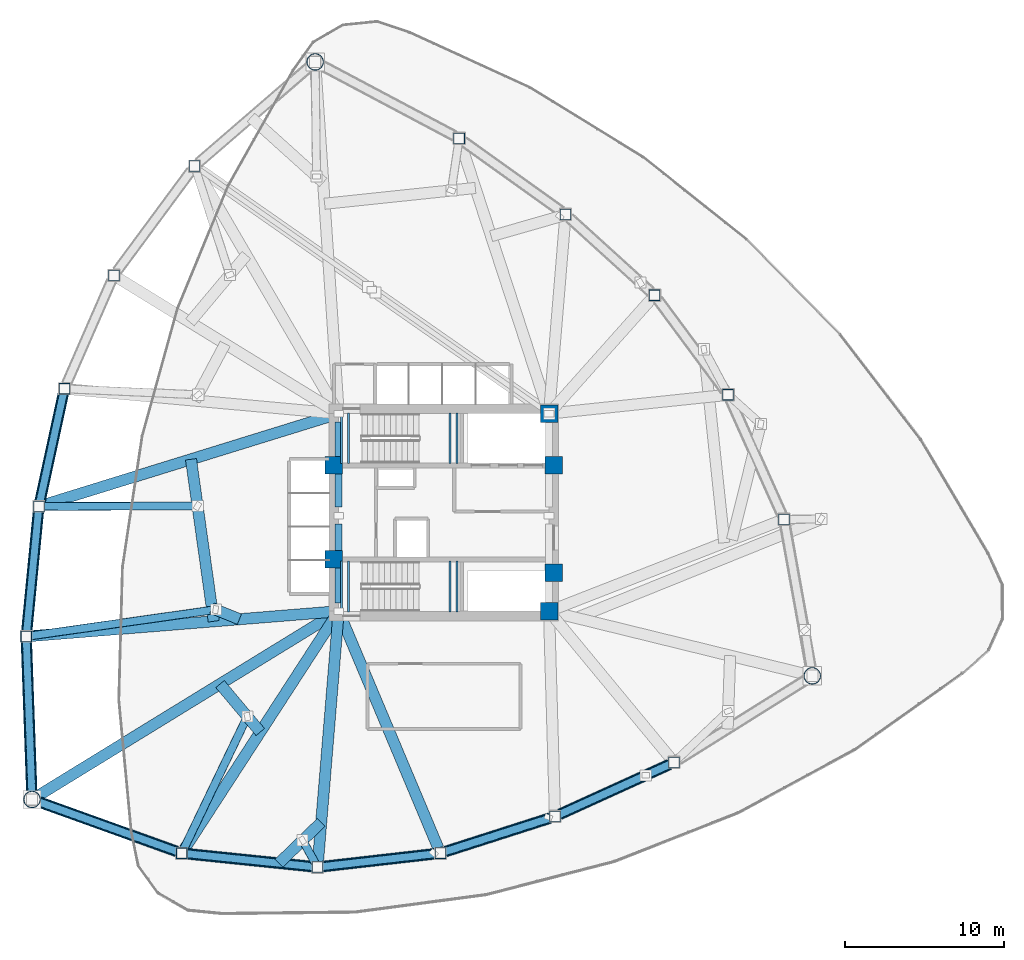
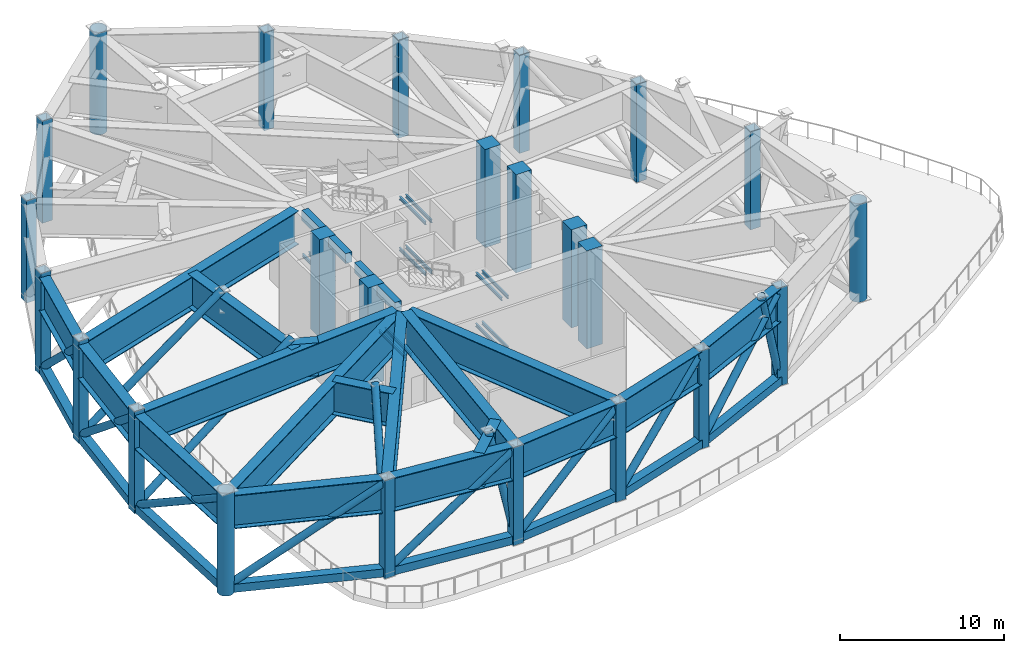
# One storey, part 1 of 8: 32 beams, 24 columns, 21 members.
"""IFC4 building model written with IfcOpenShell, lengths in metres."""

from ifc_helpers import new_model, si_unit, direction, frame, origin, origin_2d, place, context, subcontext, project, spatial, rectangle, hollow_rectangle, hollow_circle, i_section, extrude, material, material_profile, profile_set, type_object, element, save


model = new_model("IFC4")

# Units and contexts
model_context = context("Model", 3, precision=1e-05, world=origin(), true_north=direction((0.0, 1.0)))
body_context = subcontext(model_context, "Body", "Model", "MODEL_VIEW")
ifc_project = project(units=[si_unit("LENGTHUNIT", "METRE"), si_unit("AREAUNIT", "SQUARE_METRE"), si_unit("VOLUMEUNIT", "CUBIC_METRE"), si_unit("PLANEANGLEUNIT", "RADIAN"), si_unit("MASSUNIT", "GRAM", prefix="KILO")], contexts=[model_context])

# Site, building, storey
site_placement = place(None, origin())
site = spatial("IfcSite", under=ifc_project, at=site_placement, CompositionType="ELEMENT")
building_placement = place(site_placement, origin())
building = spatial("IfcBuilding", under=site, at=building_placement, Name="Tavelor Broadcast Tower", CompositionType="ELEMENT")
storey_placement = place(building_placement, frame((0.0, 0.0, 102.800048828125)))
storey = spatial("IfcBuildingStorey", under=building, at=storey_placement, Name="L24", CompositionType="ELEMENT", Elevation=102.800048828125)

# Columns
ifc_material_1 = material(Name="Concrete C60/75", Category="concrete")
ifc_material_profile_1 = material_profile(ifc_material_1, rectangle(XDim=1.10009765625, YDim=1.10009765625, at=origin_2d()), Name="RC 1100x1100")
ifc_profile_set_1 = profile_set([ifc_material_profile_1], Name="Concrete C60/75")
column_type_1 = type_object("IfcColumnType", Name="Core Embedded Composite Column RC1100", PredefinedType="COLUMN", material=ifc_profile_set_1)
for number, where, z_axis, x_axis, name in (
    (1, (43.10009765625, 47.949951171875, 0.0), (0.0, 0.0, 1.0), (1.0, 0.0, 0.0), "L24 Core Embedded Column 1"),
    (2, (56.89990234375, 47.949951171875, 0.0), (0.0, 0.0, 1.0), (1.0, 0.0, 0.0), "L24 Core Embedded Column 2"),
    (3, (56.60009765625, 51.199951171875, 0.0), (0.0, 0.0, 1.0), (1.0, 0.0, 0.0), "L24 Core Embedded Column 3"),
    (4, (43.10009765625, 42.050048828125, 0.0), (0.0, 0.0, 1.0), (1.0, 0.0, 0.0), "L24 Core Embedded Column 4"),
    (5, (56.89990234375, 41.199951171875, 0.0), (0.0, 0.0, 1.0), (1.0, 0.0, 0.0), "L24 Core Embedded Column 5"),
    (6, (56.60009765625, 38.800048828125, 0.0), (0.0, 0.0, 1.0), (1.0, 0.0, 0.0), "L24 Core Embedded Column 6"),
):
    element("IfcColumn", number, at=place(storey_placement, frame(where, z_axis=z_axis, x_axis=x_axis)), inside=storey, type_object=column_type_1, Name=name, PredefinedType="COLUMN", context=body_context, shape_type="SweptSolid", body=[
        extrude(rectangle(XDim=1.10009765625, YDim=1.10009765625, at=origin_2d()), origin(), (0.0, 0.0, 1.0), 7.300048828125),
    ])
ifc_material_2 = material(Name="Steel S460", Category="steel")
ifc_material_profile_2 = material_profile(ifc_material_2, hollow_rectangle(XDim=0.699951171875, YDim=0.699951171875, WallThickness=0.0400390625, at=origin_2d()), Name="SHS 700x700x40")
ifc_profile_set_2 = profile_set([ifc_material_profile_2], Name="Steel S460")
column_type_2 = type_object("IfcColumnType", Name="Perimeter Tube Column T2 SHS 700x700x40", PredefinedType="COLUMN", material=ifc_profile_set_2)
for number, where, z_axis, x_axis, name in (
    (7, (34.356201171875, 66.727783203125, 0.0), (0.0, 0.0, 1.0), (1.0, 0.0, 0.0), "L24 Perimeter Framed-Tube Column 02"),
    (8, (29.292236328125, 59.87158203125, 0.0), (0.0, 0.0, 1.0), (1.0, 0.0, 0.0), "L24 Perimeter Framed-Tube Column 03"),
    (9, (26.189208984375, 52.75830078125, 0.0), (0.0, 0.0, 1.0), (1.0, 0.0, 0.0), "L24 Perimeter Framed-Tube Column 04"),
    (10, (24.58984375, 45.380615234375, 0.0), (0.0, 0.0, 1.0), (1.0, 0.0, 0.0), "L24 Perimeter Framed-Tube Column 05"),
    (11, (23.794677734375, 37.21630859375, 0.0), (0.0, 0.0, 1.0), (1.0, 0.0, 0.0), "L24 Perimeter Framed-Tube Column 06"),
):
    element("IfcColumn", number, at=place(storey_placement, frame(where, z_axis=z_axis, x_axis=x_axis)), inside=storey, type_object=column_type_2, Name=name, PredefinedType="COLUMN", context=body_context, shape_type="SweptSolid", body=[
        extrude(hollow_rectangle(XDim=0.699951171875, YDim=0.699951171875, WallThickness=0.0400390625, at=origin_2d()), origin(), (0.0, 0.0, 1.0), 7.599853515625),
    ])
for number, where, z_axis, x_axis, name in (
    (12, (33.55078125, 23.615478515625, 0.0), (0.0, 0.0, 1.0), (1.0, 0.0, 0.0), "L24 Perimeter Framed-Tube Column 08"),
    (13, (42.0732421875, 22.740478515625, 0.0), (0.0, 0.0, 1.0), (1.0, 0.0, 0.0), "L24 Perimeter Framed-Tube Column 09"),
    (14, (49.78662109375, 23.617919921875, 0.0), (0.0, 0.0, 1.0), (1.0, 0.0, 0.0), "L24 Perimeter Framed-Tube Column 10"),
    (15, (56.975341796875, 25.92138671875, 0.0), (0.0, 0.0, 1.0), (1.0, 0.0, 0.0), "L24 Perimeter Framed-Tube Column 11"),
    (16, (64.443603515625, 29.31494140625, 0.0), (0.0, 0.0, 1.0), (1.0, 0.0, 0.0), "L24 Perimeter Framed-Tube Column 12"),
    (17, (71.343994140625, 44.564697265625, 0.0), (0.0, 0.0, 1.0), (1.0, 0.0, 0.0), "L24 Perimeter Framed-Tube Column 14"),
    (18, (67.8408203125, 52.382568359375, 0.0), (0.0, 0.0, 1.0), (1.0, 0.0, 0.0), "L24 Perimeter Framed-Tube Column 15"),
    (19, (63.22412109375, 58.623779296875, 0.0), (0.0, 0.0, 1.0), (1.0, 0.0, 0.0), "L24 Perimeter Framed-Tube Column 16"),
    (20, (57.634765625, 63.69775390625, 0.0), (0.0, 0.0, 1.0), (1.0, 0.0, 0.0), "L24 Perimeter Framed-Tube Column 17"),
    (21, (50.9619140625, 68.468505859375, 0.0), (0.0, 0.0, 1.0), (1.0, 0.0, 0.0), "L24 Perimeter Framed-Tube Column 18"),
):
    element("IfcColumn", number, at=place(storey_placement, frame(where, z_axis=z_axis, x_axis=x_axis)), inside=storey, type_object=column_type_2, Name=name, PredefinedType="COLUMN", context=body_context, shape_type="SweptSolid", body=[
        extrude(hollow_rectangle(XDim=0.699951171875, YDim=0.699951171875, WallThickness=0.0400390625, at=origin_2d()), origin(), (0.0, 0.0, 1.0), 7.300048828125),
    ])
ifc_material_profile_3 = material_profile(ifc_material_2, hollow_circle(Radius=0.533447265625, WallThickness=0.044921875, at=origin_2d()), Name="CHS 1067x45")
ifc_profile_set_3 = profile_set([ifc_material_profile_3], Name="Steel S460")
column_type_3 = type_object("IfcColumnType", Name="Tower Mega Column T2 CHS 1067x45", PredefinedType="COLUMN", material=ifc_profile_set_3)
for number, where, z_axis, x_axis, name in (
    (22, (41.923095703125, 73.266357421875, 0.0), (0.0, 0.0, 1.0), (1.0, 0.0, 0.0), "L24 Tower Corner Mega Column 01"),
    (23, (24.1591796875, 26.98974609375, 0.0), (0.0, 0.0, 1.0), (1.0, 0.0, 0.0), "L24 Tower Corner Mega Column 07"),
):
    element("IfcColumn", number, at=place(storey_placement, frame(where, z_axis=z_axis, x_axis=x_axis)), inside=storey, type_object=column_type_3, Name=name, PredefinedType="COLUMN", context=body_context, shape_type="SweptSolid", body=[
        extrude(hollow_circle(Radius=0.533447265625, WallThickness=0.044921875, at=origin_2d()), origin(), (0.0, 0.0, 1.0), 7.599853515625),
    ])
column_placement = place(storey_placement, frame((73.117919921875, 34.743896484375, 0.0), z_axis=(0.0, 0.0, 1.0), x_axis=(1.0, 0.0, 0.0)))
element("IfcColumn", 24, at=column_placement, inside=storey, type_object=column_type_3, Name="L24 Tower Corner Mega Column 13", PredefinedType="COLUMN", context=body_context, shape_type="SweptSolid", body=[
    extrude(hollow_circle(Radius=0.533447265625, WallThickness=0.044921875, at=origin_2d()), origin(), (0.0, 0.0, 1.0), 7.300048828125),
])

# Beams
ifc_material_3 = material(Name="Concrete C40/50", Category="concrete")
ifc_material_profile_4 = material_profile(ifc_material_3, rectangle(XDim=0.449951171875, YDim=0.75, at=origin_2d()), Name="RC 450x750")
ifc_profile_set_4 = profile_set([ifc_material_profile_4], Name="Concrete C40/50")
beam_type_1 = type_object("IfcBeamType", Name="Basement Core Trim Beam 450x750", PredefinedType="BEAM", material=ifc_profile_set_4)
beam_1_placement = place(storey_placement, frame((43.39990234375, 45.327880859375, 6.925048828125), z_axis=(0.0, 1.0, 0.0), x_axis=(-1.0, 0.0, 0.0)))
element("IfcBeam", 25, at=beam_1_placement, inside=storey, type_object=beam_type_1, Name="L24 Core West-N Tie Girder", PredefinedType="BEAM", context=body_context, shape_type="SweptSolid", body=[
    extrude(rectangle(XDim=0.449951171875, YDim=0.75, at=origin_2d()), origin(), (0.0, 0.0, 1.0), 5.34423828125),
])
beam_2_placement = place(storey_placement, frame((43.39990234375, 39.327880859375, 6.925048828125), z_axis=(0.0, 1.0, 0.0), x_axis=(-1.0, 0.0, 0.0)))
element("IfcBeam", 26, at=beam_2_placement, inside=storey, type_object=beam_type_1, Name="L24 Core West-S Tie Girder", PredefinedType="BEAM", context=body_context, shape_type="SweptSolid", body=[
    extrude(rectangle(XDim=0.449951171875, YDim=0.75, at=origin_2d()), origin(), (0.0, 0.0, 1.0), 4.944091796875),
])
ifc_material_profile_5 = material_profile(ifc_material_2, i_section(OverallWidth=0.699951171875, OverallDepth=2.5, WebThickness=0.031982421875, FlangeThickness=0.052001953125, at=origin_2d()), Name="PG 2500x700")
ifc_profile_set_5 = profile_set([ifc_material_profile_5], Name="Steel S460")
beam_type_2 = type_object("IfcBeamType", Name="Opposite Slide Transfer Girder HEB900", PredefinedType="BEAM", material=ifc_profile_set_5)
beam_3_placement = place(storey_placement, frame((26.1181640625, 52.4296875, 6.050048828125), z_axis=(-0.211875421449, -0.977296682582, 0.0), x_axis=(0.977296682582, -0.211875421449, 0.0)))
element("IfcBeam", 27, at=beam_3_placement, inside=storey, type_object=beam_type_2, Name="L24 Framed-Tube Ring Spandrel 04", PredefinedType="BEAM", context=body_context, shape_type="SweptSolid", body=[
    extrude(i_section(OverallWidth=0.699951171875, OverallDepth=2.5, WebThickness=0.031982421875, FlangeThickness=0.052001953125, at=origin_2d()), origin(), (0.0, 0.0, 1.0), 6.876708984375),
])
beam_4_placement = place(storey_placement, frame((24.557373046875, 45.04638671875, 6.050048828125), z_axis=(-0.096929220198, -0.9952912771, 0.0), x_axis=(0.9952912771, -0.096929220198, 0.0)))
element("IfcBeam", 28, at=beam_4_placement, inside=storey, type_object=beam_type_2, Name="L24 Framed-Tube Ring Spandrel 05", PredefinedType="BEAM", context=body_context, shape_type="SweptSolid", body=[
    extrude(i_section(OverallWidth=0.699951171875, OverallDepth=2.5, WebThickness=0.031982421875, FlangeThickness=0.052001953125, at=origin_2d()), origin(), (0.0, 0.0, 1.0), 7.531005859375),
])
beam_5_placement = place(storey_placement, frame((23.806640625, 36.880615234375, 6.050048828125), z_axis=(0.035613586899, -0.999365635005, 0.0), x_axis=(0.999365635005, 0.035613586899, 0.0)))
element("IfcBeam", 29, at=beam_5_placement, inside=storey, type_object=beam_type_2, Name="L24 Framed-Tube Ring Spandrel 06", PredefinedType="BEAM", context=body_context, shape_type="SweptSolid", body=[
    extrude(i_section(OverallWidth=0.699951171875, OverallDepth=2.5, WebThickness=0.031982421875, FlangeThickness=0.052001953125, at=origin_2d()), origin(), (0.0, 0.0, 1.0), 9.384765625),
])
beam_6_placement = place(storey_placement, frame((24.64111328125, 26.81640625, 6.050048828125), z_axis=(0.941105692238, -0.338112519789, 0.0), x_axis=(0.338112519789, 0.941105692238, 0.0)))
element("IfcBeam", 30, at=beam_6_placement, inside=storey, type_object=beam_type_2, Name="L24 Framed-Tube Ring Spandrel 07", PredefinedType="BEAM", context=body_context, shape_type="SweptSolid", body=[
    extrude(i_section(OverallWidth=0.699951171875, OverallDepth=2.5, WebThickness=0.031982421875, FlangeThickness=0.052001953125, at=origin_2d()), origin(), (0.0, 0.0, 1.0), 9.13134765625),
])
beam_7_placement = place(storey_placement, frame((33.885009765625, 23.581298828125, 6.050048828125), z_axis=(0.994770407806, -0.102136358626, 0.0), x_axis=(0.102136358626, 0.994770407806, 0.0)))
element("IfcBeam", 31, at=beam_7_placement, inside=storey, type_object=beam_type_2, Name="L24 Framed-Tube Ring Spandrel 08", PredefinedType="BEAM", context=body_context, shape_type="SweptSolid", body=[
    extrude(i_section(OverallWidth=0.699951171875, OverallDepth=2.5, WebThickness=0.031982421875, FlangeThickness=0.052001953125, at=origin_2d()), origin(), (0.0, 0.0, 1.0), 7.895263671875),
])
beam_8_placement = place(storey_placement, frame((42.406982421875, 22.778564453125, 6.050048828125), z_axis=(0.993591905029, 0.113027104096, 0.0), x_axis=(-0.113027104096, 0.993591905029, 0.0)))
element("IfcBeam", 32, at=beam_8_placement, inside=storey, type_object=beam_type_2, Name="L24 Framed-Tube Ring Spandrel 09", PredefinedType="BEAM", context=body_context, shape_type="SweptSolid", body=[
    extrude(i_section(OverallWidth=0.699951171875, OverallDepth=2.5, WebThickness=0.031982421875, FlangeThickness=0.052001953125, at=origin_2d()), origin(), (0.0, 0.0, 1.0), 7.09130859375),
])
beam_9_placement = place(storey_placement, frame((50.106689453125, 23.720458984375, 6.050048828125), z_axis=(0.952297103541, 0.305172453849, 0.0), x_axis=(-0.305172453849, 0.952297103541, 0.0)))
element("IfcBeam", 33, at=beam_9_placement, inside=storey, type_object=beam_type_2, Name="L24 Framed-Tube Ring Spandrel 10", PredefinedType="BEAM", context=body_context, shape_type="SweptSolid", body=[
    extrude(i_section(OverallWidth=0.699951171875, OverallDepth=2.5, WebThickness=0.031982421875, FlangeThickness=0.052001953125, at=origin_2d()), origin(), (0.0, 0.0, 1.0), 6.876953125),
])
beam_10_placement = place(storey_placement, frame((57.28125, 26.060546875, 6.050048828125), z_axis=(0.910420869291, 0.413683261395, 0.0), x_axis=(-0.413683261395, 0.910420869291, 0.0)))
element("IfcBeam", 34, at=beam_10_placement, inside=storey, type_object=beam_type_2, Name="L24 Framed-Tube Ring Spandrel 11", PredefinedType="BEAM", context=body_context, shape_type="SweptSolid", body=[
    extrude(i_section(OverallWidth=0.699951171875, OverallDepth=2.5, WebThickness=0.031982421875, FlangeThickness=0.052001953125, at=origin_2d()), origin(), (0.0, 0.0, 1.0), 7.531005859375),
])
beam_11_placement = place(storey_placement, frame((42.8955078125, 51.0439453125, 6.050048828125), z_axis=(-0.9553264377, -0.295552698231, 0.0), x_axis=(0.295552698231, -0.9553264377, 0.0)))
element("IfcBeam", 35, at=beam_11_placement, inside=storey, type_object=beam_type_2, Name="L24 Radial Primary Floor Girder 05", PredefinedType="BEAM", context=body_context, shape_type="SweptSolid", body=[
    extrude(i_section(OverallWidth=0.699951171875, OverallDepth=2.5, WebThickness=0.031982421875, FlangeThickness=0.052001953125, at=origin_2d()), origin(), (0.0, 0.0, 1.0), 18.82568359375),
])
beam_12_placement = place(storey_placement, frame((42.873779296875, 38.757568359375, 6.050048828125), z_axis=(-0.996753141144, -0.080518169498, 0.0), x_axis=(0.080518169498, -0.996753141144, 0.0)))
element("IfcBeam", 36, at=beam_12_placement, inside=storey, type_object=beam_type_2, Name="L24 Radial Primary Floor Girder 06", PredefinedType="BEAM", context=body_context, shape_type="SweptSolid", body=[
    extrude(i_section(OverallWidth=0.699951171875, OverallDepth=2.5, WebThickness=0.031982421875, FlangeThickness=0.052001953125, at=origin_2d()), origin(), (0.0, 0.0, 1.0), 18.80517578125),
])
beam_13_placement = place(storey_placement, frame((42.949951171875, 38.523681640625, 6.050048828125), z_axis=(-0.852254843795, -0.52312683092, 0.0), x_axis=(0.52312683092, -0.852254843795, 0.0)))
element("IfcBeam", 37, at=beam_13_placement, inside=storey, type_object=beam_type_2, Name="L24 Radial Primary Floor Girder 07", PredefinedType="BEAM", context=body_context, shape_type="SweptSolid", body=[
    extrude(i_section(OverallWidth=0.699951171875, OverallDepth=2.5, WebThickness=0.031982421875, FlangeThickness=0.052001953125, at=origin_2d()), origin(), (0.0, 0.0, 1.0), 21.5361328125),
])
beam_14_placement = place(storey_placement, frame((43.11279296875, 38.35693359375, 6.050048828125), z_axis=(-0.544192452451, -0.838960413068, 0.0), x_axis=(0.838960413068, -0.544192452451, 0.0)))
element("IfcBeam", 38, at=beam_14_placement, inside=storey, type_object=beam_type_2, Name="L24 Radial Primary Floor Girder 08", PredefinedType="BEAM", context=body_context, shape_type="SweptSolid", body=[
    extrude(i_section(OverallWidth=0.699951171875, OverallDepth=2.5, WebThickness=0.031982421875, FlangeThickness=0.052001953125, at=origin_2d()), origin(), (0.0, 0.0, 1.0), 17.235107421875),
])
beam_15_placement = place(storey_placement, frame((43.3564453125, 38.273681640625, 6.050048828125), z_axis=(-0.082335312762, -0.996604684051, 0.0), x_axis=(0.996604684051, -0.082335312762, 0.0)))
element("IfcBeam", 39, at=beam_15_placement, inside=storey, type_object=beam_type_2, Name="L24 Radial Primary Floor Girder 09", PredefinedType="BEAM", context=body_context, shape_type="SweptSolid", body=[
    extrude(i_section(OverallWidth=0.699951171875, OverallDepth=2.5, WebThickness=0.031982421875, FlangeThickness=0.052001953125, at=origin_2d()), origin(), (0.0, 0.0, 1.0), 15.25),
])
beam_16_placement = place(storey_placement, frame((43.604736328125, 38.313232421875, 6.050048828125), z_axis=(0.387755556571, -0.921762240683, 0.0), x_axis=(0.921762240683, 0.387755556571, 0.0)))
element("IfcBeam", 40, at=beam_16_placement, inside=storey, type_object=beam_type_2, Name="L24 Radial Primary Floor Girder 10", PredefinedType="BEAM", context=body_context, shape_type="SweptSolid", body=[
    extrude(i_section(OverallWidth=0.699951171875, OverallDepth=2.5, WebThickness=0.031982421875, FlangeThickness=0.052001953125, at=origin_2d()), origin(), (0.0, 0.0, 1.0), 15.6064453125),
])
beam_17_placement = place(storey_placement, frame((37.173095703125, 38.297119140625, 6.050048828125), z_axis=(-0.927196307198, 0.374575770597, 0.0), x_axis=(-0.374575770597, -0.927196307198, 0.0)))
element("IfcBeam", 41, at=beam_17_placement, inside=storey, type_object=beam_type_2, Name="L24 Transfer Header Girder 05", PredefinedType="BEAM", context=body_context, shape_type="SweptSolid", body=[
    extrude(i_section(OverallWidth=0.699951171875, OverallDepth=2.5, WebThickness=0.031982421875, FlangeThickness=0.052001953125, at=origin_2d()), origin(), (0.0, 0.0, 1.0), 1.862060546875),
])
beam_18_placement = place(storey_placement, frame((38.48291015625, 31.21923828125, 6.050048828125), z_axis=(-0.642776896845, 0.766053432133, 0.0), x_axis=(-0.766053432133, -0.642776896845, 0.0)))
element("IfcBeam", 42, at=beam_18_placement, inside=storey, type_object=beam_type_2, Name="L24 Transfer Header Girder 06", PredefinedType="BEAM", context=body_context, shape_type="SweptSolid", body=[
    extrude(i_section(OverallWidth=0.699951171875, OverallDepth=2.5, WebThickness=0.031982421875, FlangeThickness=0.052001953125, at=origin_2d()), origin(), (0.0, 0.0, 1.0), 3.93115234375),
])
beam_19_placement = place(storey_placement, frame((39.65283203125, 22.989013671875, 6.050048828125), z_axis=(0.719346699518, 0.694651226079, 0.0), x_axis=(-0.694651226079, 0.719346699518, 0.0)))
element("IfcBeam", 43, at=beam_19_placement, inside=storey, type_object=beam_type_2, Name="L24 Transfer Header Girder 07", PredefinedType="BEAM", context=body_context, shape_type="SweptSolid", body=[
    extrude(i_section(OverallWidth=0.699951171875, OverallDepth=2.5, WebThickness=0.031982421875, FlangeThickness=0.052001953125, at=origin_2d()), origin(), (0.0, 0.0, 1.0), 3.6875),
])
ifc_material_profile_6 = material_profile(ifc_material_2, i_section(OverallWidth=0.699951171875, OverallDepth=2.5, WebThickness=0.031982421875, FlangeThickness=0.052001953125, at=origin_2d()), Name="PG 2500x700")
ifc_profile_set_6 = profile_set([ifc_material_profile_6], Name="Steel S460")
beam_type_3 = type_object("IfcBeamType", Name="Podium Studio Transfer Truss Chord HEB1000", PredefinedType="BEAM", material=ifc_profile_set_6)
beam_20_placement = place(storey_placement, frame((35.562744140625, 38.1669921875, 6.050048828125), z_axis=(-0.13916373943, 0.990269384374, 0.0), x_axis=(-0.990269384374, -0.13916373943, 0.0)))
element("IfcBeam", 44, at=beam_20_placement, inside=storey, type_object=beam_type_3, Name="L24 Transfer Header Girder 04", PredefinedType="BEAM", context=body_context, shape_type="SweptSolid", body=[
    extrude(i_section(OverallWidth=0.699951171875, OverallDepth=2.5, WebThickness=0.031982421875, FlangeThickness=0.052001953125, at=origin_2d()), origin(), (0.0, 0.0, 1.0), 10.266357421875),
])
ifc_material_4 = material(Name="Steel S355", Category="steel")
ifc_material_profile_7 = material_profile(ifc_material_4, i_section(OverallWidth=0.1201171875, OverallDepth=0.239990234375, WebThickness=0.006103515625, FlangeThickness=0.009765625, at=origin_2d()), Name="IPE 240")
ifc_profile_set_7 = profile_set([ifc_material_profile_7], Name="Steel S355")
beam_type_4 = type_object("IfcBeamType", Name="Stairwell Landing Support Trimmer Beam IPE240", PredefinedType="BEAM", material=ifc_profile_set_7)
for number, where, z_axis, x_axis, name in (
    (45, (50.385009765625, 48.06005859375, 1.5849609375), (0.0, 1.0, 0.0), (-1.0, 0.0, 0.0), "L24 Stair Landing Support Beam 73"),
    (46, (50.824951171875, 48.06005859375, 1.5849609375), (0.0, 1.0, 0.0), (-1.0, 0.0, 0.0), "L24 Stair Landing Support Beam 74"),
    (47, (43.574951171875, 48.06005859375, 3.48486328125), (0.0, 1.0, 0.0), (-1.0, 0.0, 0.0), "L24 Stair Landing Support Beam 75"),
    (48, (44.014892578125, 48.06005859375, 3.48486328125), (0.0, 1.0, 0.0), (-1.0, 0.0, 0.0), "L24 Stair Landing Support Beam 76"),
    (49, (50.385009765625, 48.06005859375, 5.385009765625), (0.0, 1.0, 0.0), (-1.0, 0.0, 0.0), "L24 Stair Landing Support Beam 77"),
    (50, (50.824951171875, 48.06005859375, 5.385009765625), (0.0, 1.0, 0.0), (-1.0, 0.0, 0.0), "L24 Stair Landing Support Beam 78"),
    (51, (50.385009765625, 38.760009765625, 1.5849609375), (0.0, 1.0, 0.0), (-1.0, 0.0, 0.0), "L24 Stair Landing Support Beam 287"),
    (52, (50.824951171875, 38.760009765625, 1.5849609375), (0.0, 1.0, 0.0), (-1.0, 0.0, 0.0), "L24 Stair Landing Support Beam 288"),
    (53, (43.574951171875, 38.760009765625, 3.48486328125), (0.0, 1.0, 0.0), (-1.0, 0.0, 0.0), "L24 Stair Landing Support Beam 289"),
    (54, (44.014892578125, 38.760009765625, 3.48486328125), (0.0, 1.0, 0.0), (-1.0, 0.0, 0.0), "L24 Stair Landing Support Beam 290"),
    (55, (50.385009765625, 38.760009765625, 5.385009765625), (0.0, 1.0, 0.0), (-1.0, 0.0, 0.0), "L24 Stair Landing Support Beam 291"),
    (56, (50.824951171875, 38.760009765625, 5.385009765625), (0.0, 1.0, 0.0), (-1.0, 0.0, 0.0), "L24 Stair Landing Support Beam 292"),
):
    element("IfcBeam", number, at=place(storey_placement, frame(where, z_axis=z_axis, x_axis=x_axis)), inside=storey, type_object=beam_type_4, Name=name, PredefinedType="BEAM", context=body_context, shape_type="SweptSolid", body=[
        extrude(i_section(OverallWidth=0.1201171875, OverallDepth=0.239990234375, WebThickness=0.006103515625, FlangeThickness=0.009765625, at=origin_2d()), origin(), (0.0, 0.0, 1.0), 3.179931640625),
    ])

# Members
ifc_material_profile_8 = material_profile(ifc_material_2, hollow_rectangle(XDim=0.60009765625, YDim=0.60009765625, WallThickness=0.035888671875, at=origin_2d()), Name="SHS 600x600x36")
ifc_profile_set_8 = profile_set([ifc_material_profile_8], Name="Steel S460")
member_type_1 = type_object("IfcMemberType", Name="Wind Floor Belt Truss Chord Member SHS600", PredefinedType="CHORD", material=ifc_profile_set_8)
member_1_placement = place(storey_placement, frame((26.189208984375, 52.75830078125, 0.349853515625), z_axis=(-0.211863006685, -0.977299373989, 0.0), x_axis=(0.977299373989, -0.211863006685, 0.0)))
element("IfcMember", 57, at=member_1_placement, inside=storey, type_object=member_type_1, Name="L24 Belt Truss Lower Chord Member 04", PredefinedType="CHORD", context=body_context, shape_type="SweptSolid", body=[
    extrude(hollow_rectangle(XDim=0.60009765625, YDim=0.60009765625, WallThickness=0.035888671875, at=origin_2d()), origin(), (0.0, 0.0, 1.0), 7.549072265625),
])
member_2_placement = place(storey_placement, frame((24.58984375, 45.380615234375, 0.349853515625), z_axis=(-0.096936733538, -0.995290545364, 0.0), x_axis=(0.995290545364, -0.096936733538, 0.0)))
element("IfcMember", 58, at=member_2_placement, inside=storey, type_object=member_type_1, Name="L24 Belt Truss Lower Chord Member 05", PredefinedType="CHORD", context=body_context, shape_type="SweptSolid", body=[
    extrude(hollow_rectangle(XDim=0.60009765625, YDim=0.60009765625, WallThickness=0.035888671875, at=origin_2d()), origin(), (0.0, 0.0, 1.0), 8.202880859375),
])
member_3_placement = place(storey_placement, frame((23.794677734375, 37.21630859375, 0.349853515625), z_axis=(0.035620047491, -0.999365404753, 0.0), x_axis=(0.999365404753, 0.035620047491, 0.0)))
element("IfcMember", 59, at=member_3_placement, inside=storey, type_object=member_type_1, Name="L24 Belt Truss Lower Chord Member 06", PredefinedType="CHORD", context=body_context, shape_type="SweptSolid", body=[
    extrude(hollow_rectangle(XDim=0.60009765625, YDim=0.60009765625, WallThickness=0.035888671875, at=origin_2d()), origin(), (0.0, 0.0, 1.0), 10.233154296875),
])
member_4_placement = place(storey_placement, frame((24.1591796875, 26.98974609375, 0.349853515625), z_axis=(0.941101478849, -0.338124247145, 0.0), x_axis=(0.338124247145, 0.941101478849, 0.0)))
element("IfcMember", 60, at=member_4_placement, inside=storey, type_object=member_type_1, Name="L24 Belt Truss Lower Chord Member 07", PredefinedType="CHORD", context=body_context, shape_type="SweptSolid", body=[
    extrude(hollow_rectangle(XDim=0.60009765625, YDim=0.60009765625, WallThickness=0.035888671875, at=origin_2d()), origin(), (0.0, 0.0, 1.0), 9.9794921875),
])
member_5_placement = place(storey_placement, frame((33.55078125, 23.615478515625, 0.349853515625), z_axis=(0.994770753767, -0.102132989043, 0.0), x_axis=(0.102132989043, 0.994770753767, 0.0)))
element("IfcMember", 61, at=member_5_placement, inside=storey, type_object=member_type_1, Name="L24 Belt Truss Lower Chord Member 08", PredefinedType="CHORD", context=body_context, shape_type="SweptSolid", body=[
    extrude(hollow_rectangle(XDim=0.60009765625, YDim=0.60009765625, WallThickness=0.035888671875, at=origin_2d()), origin(), (0.0, 0.0, 1.0), 8.5673828125),
])
member_6_placement = place(storey_placement, frame((42.0732421875, 22.740478515625, 0.349853515625), z_axis=(0.993591937092, 0.113026822242, 0.0), x_axis=(-0.113026822242, 0.993591937092, 0.0)))
element("IfcMember", 62, at=member_6_placement, inside=storey, type_object=member_type_1, Name="L24 Belt Truss Lower Chord Member 09", PredefinedType="CHORD", context=body_context, shape_type="SweptSolid", body=[
    extrude(hollow_rectangle(XDim=0.60009765625, YDim=0.60009765625, WallThickness=0.035888671875, at=origin_2d()), origin(), (0.0, 0.0, 1.0), 7.76318359375),
])
member_7_placement = place(storey_placement, frame((49.78662109375, 23.617919921875, 0.349853515625), z_axis=(0.952305785968, 0.305145358825, 0.0), x_axis=(-0.305145358825, 0.952305785968, 0.0)))
element("IfcMember", 63, at=member_7_placement, inside=storey, type_object=member_type_1, Name="L24 Belt Truss Lower Chord Member 10", PredefinedType="CHORD", context=body_context, shape_type="SweptSolid", body=[
    extrude(hollow_rectangle(XDim=0.60009765625, YDim=0.60009765625, WallThickness=0.035888671875, at=origin_2d()), origin(), (0.0, 0.0, 1.0), 7.548828125),
])
member_8_placement = place(storey_placement, frame((56.975341796875, 25.92138671875, 0.349853515625), z_axis=(0.910417432767, 0.413690824304, 0.0), x_axis=(-0.413690824304, 0.910417432767, 0.0)))
element("IfcMember", 64, at=member_8_placement, inside=storey, type_object=member_type_1, Name="L24 Belt Truss Lower Chord Member 11", PredefinedType="CHORD", context=body_context, shape_type="SweptSolid", body=[
    extrude(hollow_rectangle(XDim=0.60009765625, YDim=0.60009765625, WallThickness=0.035888671875, at=origin_2d()), origin(), (0.0, 0.0, 1.0), 8.203125),
])
ifc_material_profile_9 = material_profile(ifc_material_2, hollow_circle(Radius=0.25390625, WallThickness=0.02490234375, at=origin_2d()), Name="CHS 508x25")
ifc_profile_set_9 = profile_set([ifc_material_profile_9], Name="Steel S460")
member_type_2 = type_object("IfcMemberType", Name="Wind Floor Belt Truss Diagonal CHS508", PredefinedType="BRACE", material=ifc_profile_set_9)
member_9_placement = place(storey_placement, frame((26.189208984375, 52.75830078125, 0.349853515625), z_axis=(-0.158975510753, -0.733335515102, 0.661018766202), x_axis=(0.977299373989, -0.211863006685, 0.0)))
element("IfcMember", 65, at=member_9_placement, inside=storey, type_object=member_type_2, Name="L24 Belt Truss Web Diagonal 04", PredefinedType="BRACE", context=body_context, shape_type="SweptSolid", body=[
    extrude(hollow_circle(Radius=0.25390625, WallThickness=0.02490234375, at=origin_2d()), origin(), (0.0, 0.0, 1.0), 10.060546875),
])
member_10_placement = place(storey_placement, frame((24.58984375, 45.380615234375, 0.349853515625), z_axis=(-0.075300136149, -0.773138425836, 0.629751430321), x_axis=(0.995290545364, -0.096936733538, 0.0)))
element("IfcMember", 66, at=member_10_placement, inside=storey, type_object=member_type_2, Name="L24 Belt Truss Web Diagonal 05", PredefinedType="BRACE", context=body_context, shape_type="SweptSolid", body=[
    extrude(hollow_circle(Radius=0.25390625, WallThickness=0.02490234375, at=origin_2d()), origin(), (0.0, 0.0, 1.0), 10.56005859375),
])
member_11_placement = place(storey_placement, frame((23.794677734375, 37.21630859375, 0.349853515625), z_axis=(0.029867188619, -0.837961685784, 0.544911152576), x_axis=(0.999365404753, 0.035620047491, 0.0)))
element("IfcMember", 67, at=member_11_placement, inside=storey, type_object=member_type_2, Name="L24 Belt Truss Web Diagonal 06", PredefinedType="BRACE", context=body_context, shape_type="SweptSolid", body=[
    extrude(hollow_circle(Radius=0.25390625, WallThickness=0.02490234375, at=origin_2d()), origin(), (0.0, 0.0, 1.0), 12.2041015625),
])
member_12_placement = place(storey_placement, frame((24.1591796875, 26.98974609375, 0.349853515625), z_axis=(0.783144006371, -0.281372395551, 0.554540386543), x_axis=(0.338124247145, 0.941101478849, 0.0)))
element("IfcMember", 68, at=member_12_placement, inside=storey, type_object=member_type_2, Name="L24 Belt Truss Web Diagonal 07", PredefinedType="BRACE", context=body_context, shape_type="SweptSolid", body=[
    extrude(hollow_circle(Radius=0.25390625, WallThickness=0.02490234375, at=origin_2d()), origin(), (0.0, 0.0, 1.0), 11.9921875),
])
member_13_placement = place(storey_placement, frame((33.55078125, 23.615478515625, 0.349853515625), z_axis=(0.78581438691, -0.080679464956, 0.613177440273), x_axis=(0.102132989043, 0.994770753767, 0.0)))
element("IfcMember", 69, at=member_13_placement, inside=storey, type_object=member_type_2, Name="L24 Belt Truss Web Diagonal 08", PredefinedType="BRACE", context=body_context, shape_type="SweptSolid", body=[
    extrude(hollow_circle(Radius=0.25390625, WallThickness=0.02490234375, at=origin_2d()), origin(), (0.0, 0.0, 1.0), 10.845458984375),
])
member_14_placement = place(storey_placement, frame((42.0732421875, 22.740478515625, 0.349853515625), z_axis=(0.754581451206, 0.085837998849, 0.65056796067), x_axis=(-0.113026822242, 0.993591937092, 0.0)))
element("IfcMember", 70, at=member_14_placement, inside=storey, type_object=member_type_2, Name="L24 Belt Truss Web Diagonal 09", PredefinedType="BRACE", context=body_context, shape_type="SweptSolid", body=[
    extrude(hollow_circle(Radius=0.25390625, WallThickness=0.02490234375, at=origin_2d()), origin(), (0.0, 0.0, 1.0), 10.22216796875),
])
member_15_placement = place(storey_placement, frame((49.78662109375, 23.617919921875, 0.349853515625), z_axis=(0.714568631004, 0.228967737596, 0.661033619966), x_axis=(-0.305145358825, 0.952305785968, 0.0)))
element("IfcMember", 71, at=member_15_placement, inside=storey, type_object=member_type_2, Name="L24 Belt Truss Web Diagonal 10", PredefinedType="BRACE", context=body_context, shape_type="SweptSolid", body=[
    extrude(hollow_circle(Radius=0.25390625, WallThickness=0.02490234375, at=origin_2d()), origin(), (0.0, 0.0, 1.0), 10.060302734375),
])
member_16_placement = place(storey_placement, frame((56.975341796875, 25.92138671875, 0.349853515625), z_axis=(0.707215428283, 0.321356471172, 0.629743087643), x_axis=(-0.413690824304, 0.910417432767, 0.0)))
element("IfcMember", 72, at=member_16_placement, inside=storey, type_object=member_type_2, Name="L24 Belt Truss Web Diagonal 11", PredefinedType="BRACE", context=body_context, shape_type="SweptSolid", body=[
    extrude(hollow_circle(Radius=0.25390625, WallThickness=0.02490234375, at=origin_2d()), origin(), (0.0, 0.0, 1.0), 10.56005859375),
])
member_17_placement = place(storey_placement, frame((24.58984375, 45.380615234375, 0.349853515625), z_axis=(0.808392157324, 0.001506493158, 0.588642379086), x_axis=(-0.001863564024, 0.999998263563, 0.0)))
element("IfcMember", 73, at=member_17_placement, inside=storey, type_object=member_type_2, Name="L24 Slide Transfer Raking Strut 04", PredefinedType="BRACE", context=body_context, shape_type="SweptSolid", body=[
    extrude(hollow_circle(Radius=0.25390625, WallThickness=0.02490234375, at=origin_2d()), origin(), (0.0, 0.0, 1.0), 12.31640625),
])
member_18_placement = place(storey_placement, frame((23.794677734375, 37.21630859375, 0.349853515625), z_axis=(0.847548657342, 0.120048793103, 0.516961856148), x_axis=(-0.140242535375, 0.990117180576, 0.0)))
element("IfcMember", 74, at=member_18_placement, inside=storey, type_object=member_type_2, Name="L24 Slide Transfer Raking Strut 05", PredefinedType="BRACE", context=body_context, shape_type="SweptSolid", body=[
    extrude(hollow_circle(Radius=0.25390625, WallThickness=0.02490234375, at=origin_2d()), origin(), (0.0, 0.0, 1.0), 14.024169921875),
])
member_19_placement = place(storey_placement, frame((33.55078125, 23.615478515625, 0.349853515625), z_axis=(0.344262129296, 0.716959310244, 0.606178961848), x_axis=(-0.901463373177, 0.432855387884, 0.0)))
element("IfcMember", 75, at=member_19_placement, inside=storey, type_object=member_type_2, Name="L24 Slide Transfer Raking Strut 06", PredefinedType="BRACE", context=body_context, shape_type="SweptSolid", body=[
    extrude(hollow_circle(Radius=0.25390625, WallThickness=0.02490234375, at=origin_2d()), origin(), (0.0, 0.0, 1.0), 11.960205078125),
])
member_20_placement = place(storey_placement, frame((42.0732421875, 22.740478515625, 0.349853515625), z_axis=(-0.124587684703, 0.224407545985, 0.966498402547), x_axis=(-0.874294808474, -0.485395290332, 0.0)))
element("IfcMember", 76, at=member_20_placement, inside=storey, type_object=member_type_2, Name="L24 Slide Transfer Raking Strut 07", PredefinedType="BRACE", context=body_context, shape_type="SweptSolid", body=[
    extrude(hollow_circle(Radius=0.25390625, WallThickness=0.02490234375, at=origin_2d()), origin(), (0.0, 0.0, 1.0), 7.501220703125),
])
member_21_placement = place(storey_placement, frame((64.443603515625, 29.31494140625, 0.349853515625), z_axis=(-0.236336558742, -0.108120398709, 0.965637100771), x_axis=(0.416016991429, -0.909356840213, 0.0)))
element("IfcMember", 77, at=member_21_placement, inside=storey, type_object=member_type_2, Name="L24 Slide Transfer Raking Strut 10", PredefinedType="BRACE", context=body_context, shape_type="SweptSolid", body=[
    extrude(hollow_circle(Radius=0.25390625, WallThickness=0.02490234375, at=origin_2d()), origin(), (0.0, 0.0, 1.0), 7.508056640625),
])

save(model, "model.ifc")
